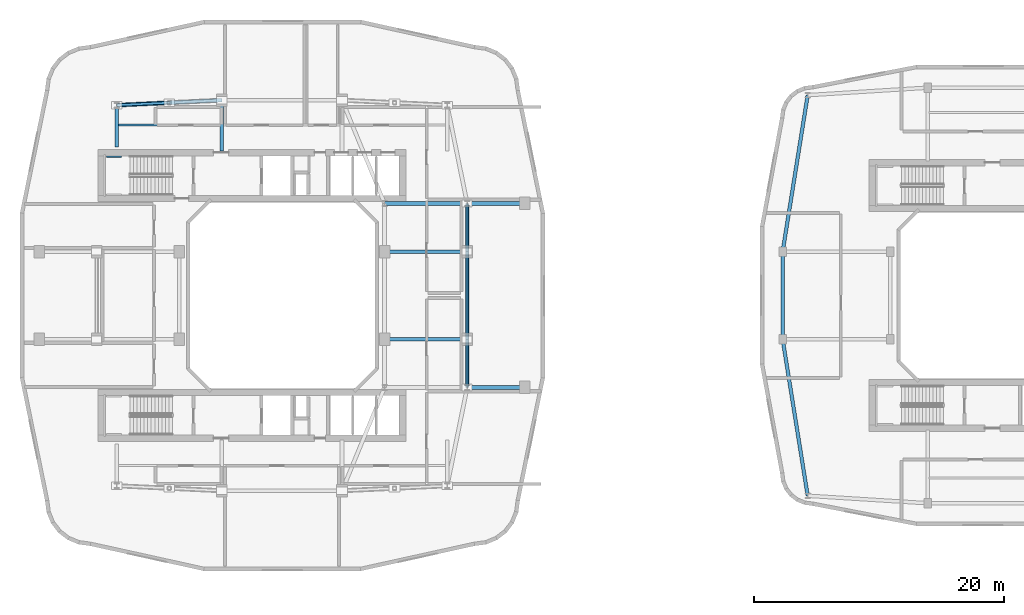
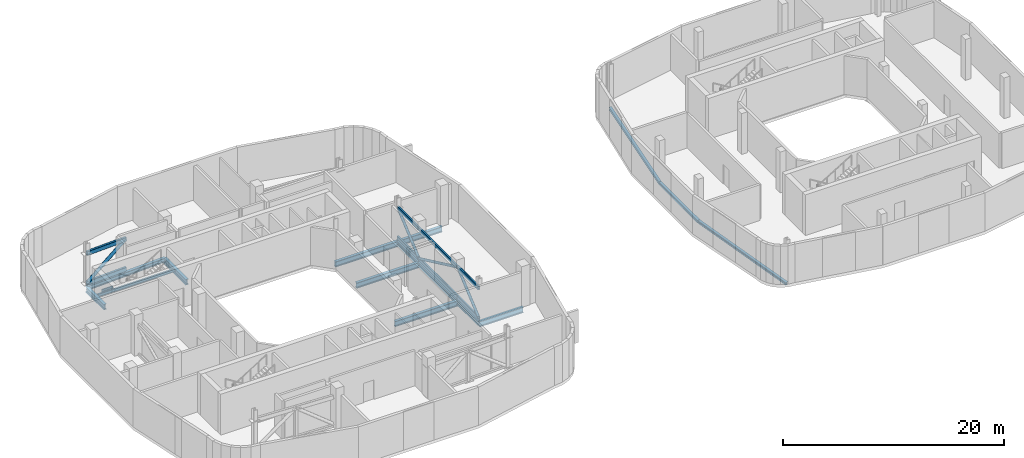
# One storey, part 4 of 18: 16 beams, 12 members.
"""IFC4 building model written with IfcOpenShell, lengths in metres."""

from ifc_helpers import new_model, si_unit, derived_unit, direction, frame, origin, origin_2d, place, context, subcontext, project, spatial, hollow_rectangle, hollow_circle, i_section, extrude, material, material_profile, profile_set, type_object, element, save


model = new_model("IFC4")

# Units and contexts
model_context = context("Model", 3, precision=1e-05, world=origin(), true_north=direction((0.0, 1.0)))
body_context = subcontext(model_context, "Body", "Model", "MODEL_VIEW")
ifc_project = project(units=[si_unit("LENGTHUNIT", "METRE"), si_unit("AREAUNIT", "SQUARE_METRE"), si_unit("VOLUMEUNIT", "CUBIC_METRE"), si_unit("PLANEANGLEUNIT", "RADIAN"), si_unit("MASSUNIT", "GRAM", prefix="KILO"), derived_unit("THERMALTRANSMITTANCEUNIT", [(si_unit("POWERUNIT", "WATT"), 1), (si_unit("LENGTHUNIT", "METRE"), -2), (si_unit("THERMODYNAMICTEMPERATUREUNIT", "KELVIN"), -1)])], contexts=[model_context])

# Site, building, storey
site_placement = place(None, origin())
site = spatial("IfcSite", under=ifc_project, at=site_placement, CompositionType="ELEMENT")
building_placement = place(site_placement, origin())
building = spatial("IfcBuilding", under=site, at=building_placement, Name="Kivonza Crest Hotel", CompositionType="ELEMENT")
storey_placement = place(building_placement, frame((0.0, 0.0, 90.5)))
storey = spatial("IfcBuildingStorey", under=building, at=storey_placement, Name="L24", CompositionType="ELEMENT", Elevation=90.5)

# Beams
ifc_material = material(Name="Steel S355", Category="steel")
ifc_material_profile_1 = material_profile(ifc_material, i_section(OverallWidth=0.280029296875, OverallDepth=0.280029296875, WebThickness=0.010498046875, FlangeThickness=0.01806640625, FilletRadius=0.02392578125, at=origin_2d()), Name="HEB 280")
ifc_profile_set_1 = profile_set([ifc_material_profile_1], Name="Steel S355")
beam_type_1 = type_object("IfcBeamType", Name="BM-HEB280", PredefinedType="SPANDREL", material=ifc_profile_set_1)
beam_1_placement = place(storey_placement, frame((63.0, 41.0, -0.4599609375), z_axis=(-0.157990501107, -0.987440631917, 0.0), x_axis=(0.987440631917, -0.157990501107, 0.0)))
element("IfcBeam", 1, at=beam_1_placement, inside=storey, type_object=beam_type_1, Name="Companion Tower T2 L24 perimeter spandrel NW-W2", PredefinedType="SPANDREL", context=body_context, shape_type="SweptSolid", body=[
    extrude(i_section(OverallWidth=0.280029296875, OverallDepth=0.280029296875, WebThickness=0.010498046875, FlangeThickness=0.01806640625, FilletRadius=0.02392578125, at=origin_2d()), origin(), (0.0, 0.0, 1.0), 12.658935546875),
])
beam_2_placement = place(storey_placement, frame((61.0, 28.5, -0.4599609375), z_axis=(0.0, -1.0, 0.0), x_axis=(1.0, 0.0, 0.0)))
element("IfcBeam", 2, at=beam_2_placement, inside=storey, type_object=beam_type_1, Name="Companion Tower T2 L24 perimeter spandrel W2-W1", PredefinedType="SPANDREL", context=body_context, shape_type="SweptSolid", body=[
    extrude(i_section(OverallWidth=0.280029296875, OverallDepth=0.280029296875, WebThickness=0.010498046875, FlangeThickness=0.01806640625, FilletRadius=0.02392578125, at=origin_2d()), origin(), (0.0, 0.0, 1.0), 7.0),
])
beam_3_placement = place(storey_placement, frame((61.0, 21.5, -0.4599609375), z_axis=(0.157990501107, -0.987440631917, 0.0), x_axis=(0.987440631917, 0.157990501107, 0.0)))
element("IfcBeam", 3, at=beam_3_placement, inside=storey, type_object=beam_type_1, Name="Companion Tower T2 L24 perimeter spandrel W1-SW", PredefinedType="SPANDREL", context=body_context, shape_type="SweptSolid", body=[
    extrude(i_section(OverallWidth=0.280029296875, OverallDepth=0.280029296875, WebThickness=0.010498046875, FlangeThickness=0.01806640625, FilletRadius=0.02392578125, at=origin_2d()), origin(), (0.0, 0.0, 1.0), 12.658935546875),
])
ifc_material_profile_2 = material_profile(ifc_material, i_section(OverallWidth=0.300048828125, OverallDepth=0.449951171875, WebThickness=0.013916015625, FlangeThickness=0.02587890625, FilletRadius=0.027099609375, at=origin_2d()), Name="HEB 450")
ifc_profile_set_2 = profile_set([ifc_material_profile_2], Name="Steel S355")
beam_type_2 = type_object("IfcBeamType", Name="BM-HEB450", PredefinedType="SPANDREL", material=ifc_profile_set_2)
beam_4_placement = place(storey_placement, frame((35.800048828125, 17.64990234375, -0.544921875), z_axis=(0.0, 1.0, 0.0), x_axis=(-1.0, 0.0, 0.0)))
element("IfcBeam", 4, at=beam_4_placement, inside=storey, type_object=beam_type_2, Name="Tower T1 L24 perimeter spandrel PSE-E1", PredefinedType="SPANDREL", context=body_context, shape_type="SweptSolid", body=[
    extrude(i_section(OverallWidth=0.300048828125, OverallDepth=0.449951171875, WebThickness=0.013916015625, FlangeThickness=0.02587890625, FilletRadius=0.027099609375, at=origin_2d()), origin(), (0.0, 0.0, 1.0), 3.85009765625),
])
beam_5_placement = place(storey_placement, frame((35.800048828125, 21.5, -0.544921875), z_axis=(0.0, 1.0, 0.0), x_axis=(-1.0, 0.0, 0.0)))
element("IfcBeam", 5, at=beam_5_placement, inside=storey, type_object=beam_type_2, Name="Tower T1 L24 perimeter spandrel E1-E2", PredefinedType="SPANDREL", context=body_context, shape_type="SweptSolid", body=[
    extrude(i_section(OverallWidth=0.300048828125, OverallDepth=0.449951171875, WebThickness=0.013916015625, FlangeThickness=0.02587890625, FilletRadius=0.027099609375, at=origin_2d()), origin(), (0.0, 0.0, 1.0), 7.0),
])
beam_6_placement = place(storey_placement, frame((35.800048828125, 28.5, -0.544921875), z_axis=(0.0, 1.0, 0.0), x_axis=(-1.0, 0.0, 0.0)))
element("IfcBeam", 6, at=beam_6_placement, inside=storey, type_object=beam_type_2, Name="Tower T1 L24 perimeter spandrel E2-PNE", PredefinedType="SPANDREL", context=body_context, shape_type="SweptSolid", body=[
    extrude(i_section(OverallWidth=0.300048828125, OverallDepth=0.449951171875, WebThickness=0.013916015625, FlangeThickness=0.02587890625, FilletRadius=0.027099609375, at=origin_2d()), origin(), (0.0, 0.0, 1.0), 3.85009765625),
])
beam_7_placement = place(storey_placement, frame((16.199951171875, 40.60009765625, -0.544921875), z_axis=(-0.998867283688, -0.047583080799, 0.0), x_axis=(0.047583080799, -0.998867283688, 0.0)))
element("IfcBeam", 7, at=beam_7_placement, inside=storey, type_object=beam_type_2, Name="Tower T1 L24 perimeter spandrel N1-NW", PredefinedType="SPANDREL", context=body_context, shape_type="SweptSolid", body=[
    extrude(i_section(OverallWidth=0.300048828125, OverallDepth=0.449951171875, WebThickness=0.013916015625, FlangeThickness=0.02587890625, FilletRadius=0.027099609375, at=origin_2d()), origin(), (0.0, 0.0, 1.0), 8.409423828125),
])
ifc_material_profile_3 = material_profile(ifc_material, i_section(OverallWidth=0.300048828125, OverallDepth=0.60009765625, WebThickness=0.015380859375, FlangeThickness=0.030029296875, FilletRadius=0.027099609375, at=origin_2d()), Name="HEB 600")
ifc_profile_set_3 = profile_set([ifc_material_profile_3], Name="Steel S355")
beam_type_3 = type_object("IfcBeamType", Name="BM-HEB600", PredefinedType="BEAM", material=ifc_profile_set_3)
for number, where, z_axis, x_axis, name in (
    (8, (29.199951171875, 32.35009765625, -0.6201171875), (1.0, 0.0, 0.0), (0.0, 1.0, 0.0), "Tower T1 L24 primary girder TNE-PNE"),
    (9, (29.199951171875, 21.5, -0.6201171875), (1.0, 0.0, 0.0), (0.0, 1.0, 0.0), "Tower T1 L24 primary girder WR1-E1"),
    (10, (29.199951171875, 28.5, -0.6201171875), (1.0, 0.0, 0.0), (0.0, 1.0, 0.0), "Tower T1 L24 primary girder WR2-E2"),
):
    element("IfcBeam", number, at=place(storey_placement, frame(where, z_axis=z_axis, x_axis=x_axis)), inside=storey, type_object=beam_type_3, Name=name, PredefinedType="BEAM", context=body_context, shape_type="SweptSolid", body=[
        extrude(i_section(OverallWidth=0.300048828125, OverallDepth=0.60009765625, WebThickness=0.015380859375, FlangeThickness=0.030029296875, FilletRadius=0.027099609375, at=origin_2d()), origin(), (0.0, 0.0, 1.0), 6.60009765625),
    ])
for number, where, z_axis, x_axis, name in (
    (11, (40.39990234375, 17.64990234375, -0.6201171875), (-1.0, 0.0, 0.0), (0.0, -1.0, 0.0), "Tower T1 L24 outer bay girder ZE1"),
    (12, (40.39990234375, 32.35009765625, -0.6201171875), (-1.0, 0.0, 0.0), (0.0, -1.0, 0.0), "Tower T1 L24 outer bay girder ZE2"),
):
    element("IfcBeam", number, at=place(storey_placement, frame(where, z_axis=z_axis, x_axis=x_axis)), inside=storey, type_object=beam_type_3, Name=name, PredefinedType="BEAM", context=body_context, shape_type="SweptSolid", body=[
        extrude(i_section(OverallWidth=0.300048828125, OverallDepth=0.60009765625, WebThickness=0.015380859375, FlangeThickness=0.030029296875, FilletRadius=0.027099609375, at=origin_2d()), origin(), (0.0, 0.0, 1.0), 4.599853515625),
    ])
beam_8_placement = place(storey_placement, frame((7.800048828125, 40.199951171875, -0.6201171875), z_axis=(0.0, -1.0, 0.0), x_axis=(1.0, 0.0, 0.0)))
element("IfcBeam", 13, at=beam_8_placement, inside=storey, type_object=beam_type_3, Name="Tower T1 L24 radial core girder RNW", PredefinedType="BEAM", context=body_context, shape_type="SweptSolid", body=[
    extrude(i_section(OverallWidth=0.300048828125, OverallDepth=0.60009765625, WebThickness=0.015380859375, FlangeThickness=0.030029296875, FilletRadius=0.027099609375, at=origin_2d()), origin(), (0.0, 0.0, 1.0), 3.349853515625),
])
beam_9_placement = place(storey_placement, frame((16.199951171875, 40.60009765625, -0.6201171875), z_axis=(0.0, -1.0, 0.0), x_axis=(1.0, 0.0, 0.0)))
element("IfcBeam", 14, at=beam_9_placement, inside=storey, type_object=beam_type_3, Name="Tower T1 L24 radial core girder RN1", PredefinedType="BEAM", context=body_context, shape_type="SweptSolid", body=[
    extrude(i_section(OverallWidth=0.300048828125, OverallDepth=0.60009765625, WebThickness=0.015380859375, FlangeThickness=0.030029296875, FilletRadius=0.027099609375, at=origin_2d()), origin(), (0.0, 0.0, 1.0), 4.050048828125),
])
ifc_material_profile_4 = material_profile(ifc_material, i_section(OverallWidth=0.159912109375, OverallDepth=0.330078125, WebThickness=0.007568359375, FlangeThickness=0.011474609375, FilletRadius=0.01806640625, at=origin_2d()), Name="IPE 330")
ifc_profile_set_4 = profile_set([ifc_material_profile_4], Name="Steel S355")
beam_type_4 = type_object("IfcBeamType", Name="BM-IPE330", PredefinedType="JOIST", material=ifc_profile_set_4)
beam_10_placement = place(storey_placement, frame((7.8798828125, 38.60009765625, -0.485107421875), z_axis=(1.0, 0.0, 0.0), x_axis=(0.0, 1.0, 0.0)))
element("IfcBeam", 15, at=beam_10_placement, inside=storey, type_object=beam_type_4, Name="Tower T1 L24 North-West floor joist", PredefinedType="JOIST", context=body_context, shape_type="SweptSolid", body=[
    extrude(i_section(OverallWidth=0.159912109375, OverallDepth=0.330078125, WebThickness=0.007568359375, FlangeThickness=0.011474609375, FilletRadius=0.01806640625, at=origin_2d()), origin(), (0.0, 0.0, 1.0), 8.240234375),
])
ifc_material_profile_5 = material_profile(ifc_material, i_section(OverallWidth=0.1201171875, OverallDepth=0.239990234375, WebThickness=0.006103515625, FlangeThickness=0.009765625, FilletRadius=0.014892578125, at=origin_2d()), Name="IPE 240")
ifc_profile_set_5 = profile_set([ifc_material_profile_5], Name="Steel S355")
beam_type_5 = type_object("IfcBeamType", Name="BM-LLDG-240", PredefinedType="BEAM", material=ifc_profile_set_5)
beam_11_placement = place(storey_placement, frame((6.989990234375, 36.10009765625, 1.929931640625), z_axis=(1.0, 0.0, 0.0), x_axis=(0.0, 1.0, 0.0)))
element("IfcBeam", 16, at=beam_11_placement, inside=storey, type_object=beam_type_5, Name="Stair ST-T1-N L24 North landing corbel", PredefinedType="BEAM", context=body_context, shape_type="SweptSolid", body=[
    extrude(i_section(OverallWidth=0.1201171875, OverallDepth=0.239990234375, WebThickness=0.006103515625, FlangeThickness=0.009765625, FilletRadius=0.014892578125, at=origin_2d()), origin(), (0.0, 0.0, 1.0), 1.2099609375),
])

# Members
ifc_material_profile_6 = material_profile(ifc_material, hollow_circle(Radius=0.136474609375, WallThickness=0.012451171875, at=origin_2d()), Name="CHS 273x12.5")
ifc_profile_set_6 = profile_set([ifc_material_profile_6], Name="Steel S355")
member_type_1 = type_object("IfcMemberType", Name="MB-BRACE-CHS273", PredefinedType="BRACE", material=ifc_profile_set_6)
member_1_placement = place(storey_placement, frame((35.800048828125, 17.64990234375, 0.0), z_axis=(0.0, 0.759260000885, 0.650787408495), x_axis=(-1.0, 0.0, 0.0)))
element("IfcMember", 17, at=member_1_placement, inside=storey, type_object=member_type_1, Name="Belt truss L24 E diagonal brace 1", PredefinedType="BRACE", context=body_context, shape_type="SweptSolid", body=[
    extrude(hollow_circle(Radius=0.136474609375, WallThickness=0.012451171875, at=origin_2d()), origin(), (0.0, 0.0, 1.0), 5.07080078125),
])
member_2_placement = place(storey_placement, frame((35.800048828125, 21.5, 3.300048828125), z_axis=(0.0, 0.90452320938, -0.426424393875), x_axis=(-1.0, 0.0, 0.0)))
element("IfcMember", 18, at=member_2_placement, inside=storey, type_object=member_type_1, Name="Belt truss L24 E diagonal brace 2", PredefinedType="BRACE", context=body_context, shape_type="SweptSolid", body=[
    extrude(hollow_circle(Radius=0.136474609375, WallThickness=0.012451171875, at=origin_2d()), origin(), (0.0, 0.0, 1.0), 7.73876953125),
])
member_3_placement = place(storey_placement, frame((35.800048828125, 28.5, 0.0), z_axis=(0.0, 0.759260000885, 0.650787408495), x_axis=(-1.0, 0.0, 0.0)))
element("IfcMember", 19, at=member_3_placement, inside=storey, type_object=member_type_1, Name="Belt truss L24 E diagonal brace 3", PredefinedType="BRACE", context=body_context, shape_type="SweptSolid", body=[
    extrude(hollow_circle(Radius=0.136474609375, WallThickness=0.012451171875, at=origin_2d()), origin(), (0.0, 0.0, 1.0), 5.07080078125),
])
ifc_material_profile_7 = material_profile(ifc_material, hollow_circle(Radius=0.161865234375, WallThickness=0.01611328125, at=origin_2d()), Name="CHS 323.9x16")
ifc_profile_set_7 = profile_set([ifc_material_profile_7], Name="Steel S355")
member_type_2 = type_object("IfcMemberType", Name="MB-BRACE-CHS324", PredefinedType="BRACE", material=ifc_profile_set_7)
member_4_placement = place(storey_placement, frame((12.0, 40.39990234375, 3.300048828125), z_axis=(-0.78576003764, -0.037408444505, -0.617399199487), x_axis=(0.047554114695, -0.998868663126, 0.0)))
element("IfcMember", 20, at=member_4_placement, inside=storey, type_object=member_type_2, Name="Outrigger truss L24 NW diagonal brace 2", PredefinedType="BRACE", context=body_context, shape_type="SweptSolid", body=[
    extrude(hollow_circle(Radius=0.161865234375, WallThickness=0.01611328125, at=origin_2d()), origin(), (0.0, 0.0, 1.0), 5.344970703125),
])
ifc_material_profile_8 = material_profile(ifc_material, hollow_rectangle(XDim=0.199951171875, YDim=0.39990234375, WallThickness=0.01611328125, InnerFilletRadius=0.02392578125, OuterFilletRadius=0.0400390625, at=origin_2d()), Name="RHS 400x200x16")
ifc_profile_set_8 = profile_set([ifc_material_profile_8], Name="Steel S355")
member_type_3 = type_object("IfcMemberType", Name="MB-CHORD-RHS400", PredefinedType="CHORD", material=ifc_profile_set_8)
for number, where, z_axis, x_axis, name in (
    (21, (35.800048828125, 17.64990234375, 0.0), (0.0, 1.0, 0.0), (-1.0, 0.0, 0.0), "Belt truss L24 E bottom chord 1"),
    (22, (35.800048828125, 17.64990234375, 3.300048828125), (0.0, 1.0, 0.0), (-1.0, 0.0, 0.0), "Belt truss L24 E top chord 1"),
):
    element("IfcMember", number, at=place(storey_placement, frame(where, z_axis=z_axis, x_axis=x_axis)), inside=storey, type_object=member_type_3, Name=name, PredefinedType="CHORD", context=body_context, shape_type="SweptSolid", body=[
        extrude(hollow_rectangle(XDim=0.199951171875, YDim=0.39990234375, WallThickness=0.01611328125, InnerFilletRadius=0.02392578125, OuterFilletRadius=0.0400390625, at=origin_2d()), origin(), (0.0, 0.0, 1.0), 3.85009765625),
    ])
for number, where, z_axis, x_axis, name in (
    (23, (35.800048828125, 21.5, 0.0), (0.0, 1.0, 0.0), (-1.0, 0.0, 0.0), "Belt truss L24 E bottom chord 2"),
    (24, (35.800048828125, 21.5, 3.300048828125), (0.0, 1.0, 0.0), (-1.0, 0.0, 0.0), "Belt truss L24 E top chord 2"),
):
    element("IfcMember", number, at=place(storey_placement, frame(where, z_axis=z_axis, x_axis=x_axis)), inside=storey, type_object=member_type_3, Name=name, PredefinedType="CHORD", context=body_context, shape_type="SweptSolid", body=[
        extrude(hollow_rectangle(XDim=0.199951171875, YDim=0.39990234375, WallThickness=0.01611328125, InnerFilletRadius=0.02392578125, OuterFilletRadius=0.0400390625, at=origin_2d()), origin(), (0.0, 0.0, 1.0), 7.0),
    ])
for number, where, z_axis, x_axis, name in (
    (25, (35.800048828125, 28.5, 0.0), (0.0, 1.0, 0.0), (-1.0, 0.0, 0.0), "Belt truss L24 E bottom chord 3"),
    (26, (35.800048828125, 28.5, 3.300048828125), (0.0, 1.0, 0.0), (-1.0, 0.0, 0.0), "Belt truss L24 E top chord 3"),
):
    element("IfcMember", number, at=place(storey_placement, frame(where, z_axis=z_axis, x_axis=x_axis)), inside=storey, type_object=member_type_3, Name=name, PredefinedType="CHORD", context=body_context, shape_type="SweptSolid", body=[
        extrude(hollow_rectangle(XDim=0.199951171875, YDim=0.39990234375, WallThickness=0.01611328125, InnerFilletRadius=0.02392578125, OuterFilletRadius=0.0400390625, at=origin_2d()), origin(), (0.0, 0.0, 1.0), 3.85009765625),
    ])
ifc_material_profile_9 = material_profile(ifc_material, hollow_rectangle(XDim=0.25, YDim=0.449951171875, WallThickness=0.01611328125, InnerFilletRadius=0.02392578125, OuterFilletRadius=0.0400390625, at=origin_2d()), Name="RHS 450x250x16")
ifc_profile_set_9 = profile_set([ifc_material_profile_9], Name="Steel S355")
member_type_4 = type_object("IfcMemberType", Name="MB-CHORD-RHS450", PredefinedType="CHORD", material=ifc_profile_set_9)
for number, where, z_axis, x_axis, name in (
    (27, (12.0, 40.39990234375, 0.0), (-0.998868663126, -0.047554114695, 0.0), (0.047554114695, -0.998868663126, 0.0), "Outrigger truss L24 NW bottom chord 2"),
    (28, (12.0, 40.39990234375, 3.300048828125), (-0.998868663126, -0.047554114695, 0.0), (0.047554114695, -0.998868663126, 0.0), "Outrigger truss L24 NW top chord 2"),
):
    element("IfcMember", number, at=place(storey_placement, frame(where, z_axis=z_axis, x_axis=x_axis)), inside=storey, type_object=member_type_4, Name=name, PredefinedType="CHORD", context=body_context, shape_type="SweptSolid", body=[
        extrude(hollow_rectangle(XDim=0.25, YDim=0.449951171875, WallThickness=0.01611328125, InnerFilletRadius=0.02392578125, OuterFilletRadius=0.0400390625, at=origin_2d()), origin(), (0.0, 0.0, 1.0), 4.20458984375),
    ])

save(model, "model.ifc")
